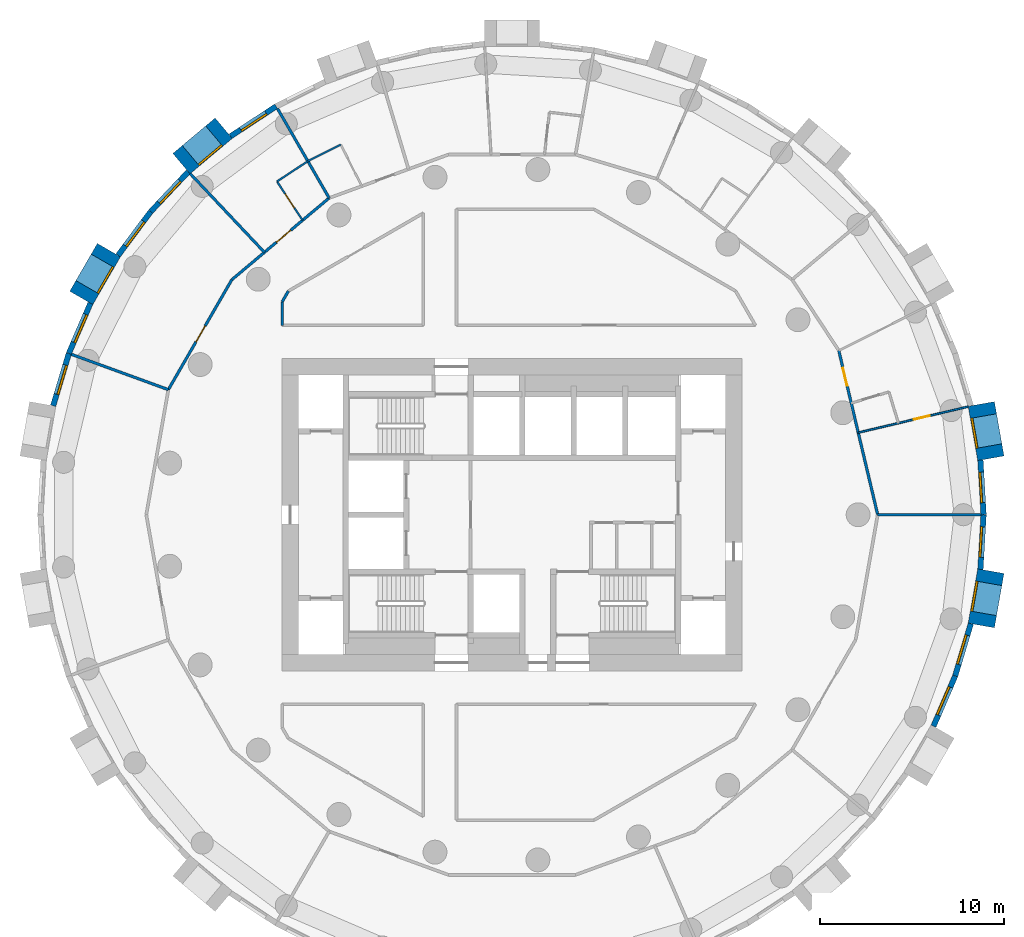
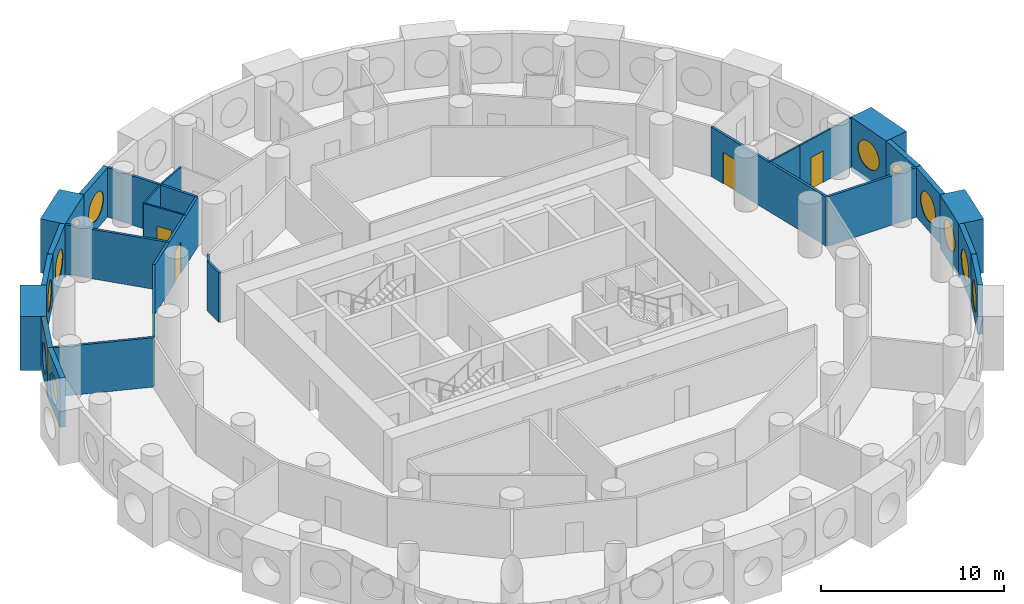
# One storey, part 5 of 9: 27 walls, 13 windows, 5 doors, 18 openings.
"""IFC4 building model written with IfcOpenShell, lengths in metres."""

from ifc_helpers import new_model, si_unit, direction, frame, frame_2d, origin, origin_2d, place, context, subcontext, project, spatial, rectangle, circle, extrude, material, layer, layer_set, type_object, element, fill, save


model = new_model("IFC4")

# Units and contexts
model_context = context("Model", 3, precision=1e-05, world=origin(), true_north=direction((0.0, 1.0)))
body_context = subcontext(model_context, "Body", "Model", "MODEL_VIEW")
ifc_project = project(units=[si_unit("LENGTHUNIT", "METRE"), si_unit("AREAUNIT", "SQUARE_METRE"), si_unit("VOLUMEUNIT", "CUBIC_METRE"), si_unit("PLANEANGLEUNIT", "RADIAN"), si_unit("MASSUNIT", "GRAM", prefix="KILO")], contexts=[model_context])

# Site, building, storey
site_placement = place(None, origin())
site = spatial("IfcSite", under=ifc_project, at=site_placement, CompositionType="ELEMENT")
building_placement = place(site_placement, origin())
building = spatial("IfcBuilding", under=site, at=building_placement, Name="Tracery Tower", CompositionType="ELEMENT")
storey_placement = place(building_placement, frame((0.0, 0.0, 169.199951171875)))
storey = spatial("IfcBuildingStorey", under=building, at=storey_placement, Name="L43", CompositionType="ELEMENT", Elevation=169.199951171875)

# Wall, opening, window
ifc_material_1 = material(Name="Precast concrete C50/60", Category="concrete")
ifc_layer_1 = layer(ifc_material_1, 1.449951171875)
ifc_layer_set_1 = layer_set([ifc_layer_1], Name="Deep-set bay unit 3000 x 3600, slab edge 300")
wall_type_1 = type_object("IfcWallType", Name="Deep-set bay unit 3000 x 3600, slab edge 300", PredefinedType="ELEMENTEDWALL", material=ifc_layer_set_1)
wall_1_placement = place(storey_placement, frame((26.041748046875, 3.06884765625, -0.300048828125), z_axis=(0.0, 0.0, 1.0), x_axis=(-0.173669267716, 0.984804034035, 0.0)))
wall_1 = element("IfcWall", 1, at=wall_1_placement, inside=storey, type_object=wall_type_1, Name="Deep-set bay unit 2 at L43", PredefinedType="ELEMENTEDWALL", context=body_context, shape_type="SweptSolid", body=[
    extrude(rectangle(XDim=3.0, YDim=1.449951171875, at=frame_2d((1.5, 0.0))), origin(), (0.0, 0.0, 1.0), 3.60009765625),
])
opening_1_placement = place(wall_1_placement, frame((1.5, 0.0, 1.85009765625)))
opening_1 = element("IfcOpeningElement", 2, at=opening_1_placement, cuts=wall_1, Name="Opening WN1", PredefinedType="OPENING", context=body_context, shape_type="SweptSolid", body=[
    extrude(circle(Radius=0.9000244140625, at=origin_2d()), frame((0.0, 0.73486328125, 0.0), z_axis=(0.0, -1.0, 0.0), x_axis=(1.0, 0.0, 0.0)), (0.0, 0.0, 1.0), 1.469970703125),
])
ifc_material_2 = material(Name="Aluminium frame with tinted double glazing", Category="aluminium")
window_type = type_object("IfcWindowType", Name="Round window 1800", PartitioningType="SINGLE_PANEL", PredefinedType="WINDOW", material=ifc_material_2)
window_1_placement = place(opening_1_placement, origin())
window_1 = element("IfcWindow", 3, at=window_1_placement, inside=storey, type_object=window_type, Name="Round window 2 at L43", OverallHeight=1.800048828125, OverallWidth=1.800048828125, PartitioningType="SINGLE_PANEL", PredefinedType="WINDOW", context=body_context, shape_type="SweptSolid", body=[
    extrude(circle(Radius=0.9000244140625, at=origin_2d()), frame((0.0, 0.69482421875, 0.0), z_axis=(0.0, -1.0, 0.0), x_axis=(1.0, 0.0, 0.0)), (0.0, 0.0, 1.0), 0.10009765625),
])
fill(opening_1, window_1)

wall_2_placement = place(storey_placement, frame((-15.678466796875, 21.0185546875, -0.300048828125), z_axis=(0.0, 0.0, 1.0), x_axis=(-0.766022196139, -0.642814121673, 0.0)))
wall_2 = element("IfcWall", 4, at=wall_2_placement, inside=storey, type_object=wall_type_1, Name="Deep-set bay unit 20 at L43", PredefinedType="ELEMENTEDWALL", context=body_context, shape_type="SweptSolid", body=[
    extrude(rectangle(XDim=3.0, YDim=1.449951171875, at=frame_2d((1.5, 0.0))), origin(), (0.0, 0.0, 1.0), 3.60009765625),
])
opening_2_placement = place(wall_2_placement, frame((1.5, 0.0, 1.85009765625)))
opening_2 = element("IfcOpeningElement", 5, at=opening_2_placement, cuts=wall_2, Name="Opening WN1", PredefinedType="OPENING", context=body_context, shape_type="SweptSolid", body=[
    extrude(circle(Radius=0.9000244140625, at=origin_2d()), frame((0.0, 0.73486328125, 0.0), z_axis=(0.0, -1.0, 0.0), x_axis=(1.0, 0.0, 0.0)), (0.0, 0.0, 1.0), 1.469970703125),
])
window_2_placement = place(opening_2_placement, origin())
window_2 = element("IfcWindow", 6, at=window_2_placement, inside=storey, type_object=window_type, Name="Round window 20 at L43", OverallHeight=1.800048828125, OverallWidth=1.800048828125, PartitioningType="SINGLE_PANEL", PredefinedType="WINDOW", context=body_context, shape_type="SweptSolid", body=[
    extrude(circle(Radius=0.9000244140625, at=origin_2d()), frame((0.0, 0.69482421875, 0.0), z_axis=(0.0, -1.0, 0.0), x_axis=(1.0, 0.0, 0.0)), (0.0, 0.0, 1.0), 0.10009765625),
])
fill(opening_2, window_2)

wall_3_placement = place(storey_placement, frame((-21.921630859375, 14.388671875, -0.300048828125), z_axis=(0.0, 0.0, 1.0), x_axis=(-0.499990139034, -0.866031096941, 0.0)))
wall_3 = element("IfcWall", 7, at=wall_3_placement, inside=storey, type_object=wall_type_1, Name="Deep-set bay unit 23 at L43", PredefinedType="ELEMENTEDWALL", context=body_context, shape_type="SweptSolid", body=[
    extrude(rectangle(XDim=3.0, YDim=1.449951171875, at=frame_2d((1.5, 0.0))), origin(), (0.0, 0.0, 1.0), 3.60009765625),
])
opening_3_placement = place(wall_3_placement, frame((1.5, 0.0, 1.85009765625)))
opening_3 = element("IfcOpeningElement", 8, at=opening_3_placement, cuts=wall_3, Name="Opening WN1", PredefinedType="OPENING", context=body_context, shape_type="SweptSolid", body=[
    extrude(circle(Radius=0.9000244140625, at=origin_2d()), frame((0.0, 0.73486328125, 0.0), z_axis=(0.0, -1.0, 0.0), x_axis=(1.0, 0.0, 0.0)), (0.0, 0.0, 1.0), 1.469970703125),
])
window_3_placement = place(opening_3_placement, origin())
window_3 = element("IfcWindow", 9, at=window_3_placement, inside=storey, type_object=window_type, Name="Round window 23 at L43", OverallHeight=1.800048828125, OverallWidth=1.800048828125, PartitioningType="SINGLE_PANEL", PredefinedType="WINDOW", context=body_context, shape_type="SweptSolid", body=[
    extrude(circle(Radius=0.9000244140625, at=origin_2d()), frame((0.0, 0.69482421875, 0.0), z_axis=(0.0, -1.0, 0.0), x_axis=(1.0, 0.0, 0.0)), (0.0, 0.0, 1.0), 0.10009765625),
])
fill(opening_3, window_3)

wall_4_placement = place(storey_placement, frame((25.520751953125, -6.023193359375, -0.300048828125), z_axis=(0.0, 0.0, 1.0), x_axis=(0.173669267716, 0.984804034035, 0.0)))
wall_4 = element("IfcWall", 10, at=wall_4_placement, inside=storey, type_object=wall_type_1, Name="Deep-set bay unit 53 at L43", PredefinedType="ELEMENTEDWALL", context=body_context, shape_type="SweptSolid", body=[
    extrude(rectangle(XDim=3.0, YDim=1.449951171875, at=frame_2d((1.5, 0.0))), origin(), (0.0, 0.0, 1.0), 3.60009765625),
])
opening_4_placement = place(wall_4_placement, frame((1.5, 0.0, 1.85009765625)))
opening_4 = element("IfcOpeningElement", 11, at=opening_4_placement, cuts=wall_4, Name="Opening WN1", PredefinedType="OPENING", context=body_context, shape_type="SweptSolid", body=[
    extrude(circle(Radius=0.9000244140625, at=origin_2d()), frame((0.0, 0.73486328125, 0.0), z_axis=(0.0, -1.0, 0.0), x_axis=(1.0, 0.0, 0.0)), (0.0, 0.0, 1.0), 1.469970703125),
])
window_4_placement = place(opening_4_placement, origin())
window_4 = element("IfcWindow", 12, at=window_4_placement, inside=storey, type_object=window_type, Name="Round window 53 at L43", OverallHeight=1.800048828125, OverallWidth=1.800048828125, PartitioningType="SINGLE_PANEL", PredefinedType="WINDOW", context=body_context, shape_type="SweptSolid", body=[
    extrude(circle(Radius=0.9000244140625, at=origin_2d()), frame((0.0, 0.69482421875, 0.0), z_axis=(0.0, -1.0, 0.0), x_axis=(1.0, 0.0, 0.0)), (0.0, 0.0, 1.0), 0.10009765625),
])
fill(opening_4, window_4)

ifc_material_3 = material(Name="Precast concrete C50/60", Category="concrete")
ifc_layer_2 = layer(ifc_material_3, 0.300048828125)
ifc_layer_set_2 = layer_set([ifc_layer_2], Name="Facade panel 3000 x 3300")
wall_type_2 = type_object("IfcWallType", Name="Facade panel 3000 x 3300", PredefinedType="SOLIDWALL", material=ifc_layer_set_2)
wall_5_placement = place(storey_placement, frame((25.6474609375, 0.0, 0.0), z_axis=(0.0, 0.0, 1.0), x_axis=(-0.058144307138, 0.998308188661, 0.0)))
wall_5 = element("IfcWall", 13, at=wall_5_placement, inside=storey, type_object=wall_type_2, Name="Facade panel 1 at L43", PredefinedType="SOLIDWALL", context=body_context, shape_type="SweptSolid", body=[
    extrude(rectangle(XDim=2.972900390625, YDim=0.300048828125, at=frame_2d((1.486328125, 0.0))), origin(), (0.0, 0.0, 1.0), 3.300048828125),
])
opening_5_placement = place(wall_5_placement, frame((1.486328125, 0.0, 1.5498046875)))
opening_5 = element("IfcOpeningElement", 14, at=opening_5_placement, cuts=wall_5, Name="Opening WN1", PredefinedType="OPENING", context=body_context, shape_type="SweptSolid", body=[
    extrude(circle(Radius=0.9000244140625, at=origin_2d()), frame((0.0, 0.159912109375, 0.0), z_axis=(0.0, -1.0, 0.0), x_axis=(1.0, 0.0, 0.0)), (0.0, 0.0, 1.0), 0.320068359375),
])
window_5_placement = place(opening_5_placement, origin())
window_5 = element("IfcWindow", 15, at=window_5_placement, inside=storey, type_object=window_type, Name="Round window 1 at L43", OverallHeight=1.800048828125, OverallWidth=1.800048828125, PartitioningType="SINGLE_PANEL", PredefinedType="WINDOW", context=body_context, shape_type="SweptSolid", body=[
    extrude(circle(Radius=0.9000244140625, at=origin_2d()), frame((0.0, 0.1201171875, 0.0), z_axis=(0.0, -1.0, 0.0), x_axis=(1.0, 0.0, 0.0)), (0.0, 0.0, 1.0), 0.10009765625),
])
fill(opening_5, window_5)

wall_6_placement = place(storey_placement, frame((-12.82373046875, 22.21142578125, 0.0), z_axis=(0.0, 0.0, 1.0), x_axis=(-0.835470659512, -0.549535055382, 0.0)))
wall_6 = element("IfcWall", 16, at=wall_6_placement, inside=storey, type_object=wall_type_2, Name="Facade panel 19 at L43", PredefinedType="SOLIDWALL", context=body_context, shape_type="SweptSolid", body=[
    extrude(rectangle(XDim=2.97314453125, YDim=0.300048828125, at=frame_2d((1.486572265625, 0.0))), origin(), (0.0, 0.0, 1.0), 3.300048828125),
])
opening_6_placement = place(wall_6_placement, frame((1.486328125, 0.0, 1.5498046875)))
opening_6 = element("IfcOpeningElement", 17, at=opening_6_placement, cuts=wall_6, Name="Opening WN1", PredefinedType="OPENING", context=body_context, shape_type="SweptSolid", body=[
    extrude(circle(Radius=0.9000244140625, at=origin_2d()), frame((0.0, 0.159912109375, 0.0), z_axis=(0.0, -1.0, 0.0), x_axis=(1.0, 0.0, 0.0)), (0.0, 0.0, 1.0), 0.320068359375),
])
window_6_placement = place(opening_6_placement, origin())
window_6 = element("IfcWindow", 18, at=window_6_placement, inside=storey, type_object=window_type, Name="Round window 19 at L43", OverallHeight=1.800048828125, OverallWidth=1.800048828125, PartitioningType="SINGLE_PANEL", PredefinedType="WINDOW", context=body_context, shape_type="SweptSolid", body=[
    extrude(circle(Radius=0.9000244140625, at=origin_2d()), frame((0.0, 0.1201171875, 0.0), z_axis=(0.0, -1.0, 0.0), x_axis=(1.0, 0.0, 0.0)), (0.0, 0.0, 1.0), 0.10009765625),
])
fill(opening_6, window_6)

wall_7_placement = place(storey_placement, frame((-17.60693359375, 18.648193359375, 0.0), z_axis=(0.0, 0.0, 1.0), x_axis=(-0.686235184166, -0.727379730273, 0.0)))
wall_7 = element("IfcWall", 19, at=wall_7_placement, inside=storey, type_object=wall_type_2, Name="Facade panel 21 at L43", PredefinedType="SOLIDWALL", context=body_context, shape_type="SweptSolid", body=[
    extrude(rectangle(XDim=2.972900390625, YDim=0.300048828125, at=frame_2d((1.486328125, 0.0))), origin(), (0.0, 0.0, 1.0), 3.300048828125),
])
opening_7_placement = place(wall_7_placement, frame((1.486328125, 0.0, 1.5498046875)))
opening_7 = element("IfcOpeningElement", 20, at=opening_7_placement, cuts=wall_7, Name="Opening WN1", PredefinedType="OPENING", context=body_context, shape_type="SweptSolid", body=[
    extrude(circle(Radius=0.9000244140625, at=origin_2d()), frame((0.0, 0.159912109375, 0.0), z_axis=(0.0, -1.0, 0.0), x_axis=(1.0, 0.0, 0.0)), (0.0, 0.0, 1.0), 0.320068359375),
])
window_7_placement = place(opening_7_placement, origin())
window_7 = element("IfcWindow", 21, at=window_7_placement, inside=storey, type_object=window_type, Name="Round window 21 at L43", OverallHeight=1.800048828125, OverallWidth=1.800048828125, PartitioningType="SINGLE_PANEL", PredefinedType="WINDOW", context=body_context, shape_type="SweptSolid", body=[
    extrude(circle(Radius=0.9000244140625, at=origin_2d()), frame((0.0, 0.1201171875, 0.0), z_axis=(0.0, -1.0, 0.0), x_axis=(1.0, 0.0, 0.0)), (0.0, 0.0, 1.0), 0.10009765625),
])
fill(opening_7, window_7)

wall_8_placement = place(storey_placement, frame((-19.64697265625, 16.48583984375, 0.0), z_axis=(0.0, 0.0, 1.0), x_axis=(-0.597197580538, -0.80209416517, 0.0)))
wall_8 = element("IfcWall", 22, at=wall_8_placement, inside=storey, type_object=wall_type_2, Name="Facade panel 22 at L43", PredefinedType="SOLIDWALL", context=body_context, shape_type="SweptSolid", body=[
    extrude(rectangle(XDim=2.972900390625, YDim=0.300048828125, at=frame_2d((1.486328125, 0.0))), origin(), (0.0, 0.0, 1.0), 3.300048828125),
])
opening_8_placement = place(wall_8_placement, frame((1.486328125, 0.0, 1.5498046875)))
opening_8 = element("IfcOpeningElement", 23, at=opening_8_placement, cuts=wall_8, Name="Opening WN1", PredefinedType="OPENING", context=body_context, shape_type="SweptSolid", body=[
    extrude(circle(Radius=0.9000244140625, at=origin_2d()), frame((0.0, 0.159912109375, 0.0), z_axis=(0.0, -1.0, 0.0), x_axis=(1.0, 0.0, 0.0)), (0.0, 0.0, 1.0), 0.320068359375),
])
window_8_placement = place(opening_8_placement, origin())
window_8 = element("IfcWindow", 24, at=window_8_placement, inside=storey, type_object=window_type, Name="Round window 22 at L43", OverallHeight=1.800048828125, OverallWidth=1.800048828125, PartitioningType="SINGLE_PANEL", PredefinedType="WINDOW", context=body_context, shape_type="SweptSolid", body=[
    extrude(circle(Radius=0.9000244140625, at=origin_2d()), frame((0.0, 0.1201171875, 0.0), z_axis=(0.0, -1.0, 0.0), x_axis=(1.0, 0.0, 0.0)), (0.0, 0.0, 1.0), 0.10009765625),
])
fill(opening_8, window_8)

wall_9_placement = place(storey_placement, frame((-22.923095703125, 11.501708984375, 0.0), z_axis=(0.0, 0.0, 1.0), x_axis=(-0.396148129016, -0.918186614952, 0.0)))
wall_9 = element("IfcWall", 25, at=wall_9_placement, inside=storey, type_object=wall_type_2, Name="Facade panel 24 at L43", PredefinedType="SOLIDWALL", context=body_context, shape_type="SweptSolid", body=[
    extrude(rectangle(XDim=2.972900390625, YDim=0.300048828125, at=frame_2d((1.486328125, 0.0))), origin(), (0.0, 0.0, 1.0), 3.300048828125),
])
opening_9_placement = place(wall_9_placement, frame((1.486328125, 0.0, 1.5498046875)))
opening_9 = element("IfcOpeningElement", 26, at=opening_9_placement, cuts=wall_9, Name="Opening WN1", PredefinedType="OPENING", context=body_context, shape_type="SweptSolid", body=[
    extrude(circle(Radius=0.9000244140625, at=origin_2d()), frame((0.0, 0.159912109375, 0.0), z_axis=(0.0, -1.0, 0.0), x_axis=(1.0, 0.0, 0.0)), (0.0, 0.0, 1.0), 0.320068359375),
])
window_9_placement = place(opening_9_placement, origin())
window_9 = element("IfcWindow", 27, at=window_9_placement, inside=storey, type_object=window_type, Name="Round window 24 at L43", OverallHeight=1.800048828125, OverallWidth=1.800048828125, PartitioningType="SINGLE_PANEL", PredefinedType="WINDOW", context=body_context, shape_type="SweptSolid", body=[
    extrude(circle(Radius=0.9000244140625, at=origin_2d()), frame((0.0, 0.1201171875, 0.0), z_axis=(0.0, -1.0, 0.0), x_axis=(1.0, 0.0, 0.0)), (0.0, 0.0, 1.0), 0.10009765625),
])
fill(opening_9, window_9)

wall_10_placement = place(storey_placement, frame((-24.100830078125, 8.77197265625, 0.0), z_axis=(0.0, 0.0, 1.0), x_axis=(-0.286782750849, -0.957995643944, 0.0)))
wall_10 = element("IfcWall", 28, at=wall_10_placement, inside=storey, type_object=wall_type_2, Name="Facade panel 25 at L43", PredefinedType="SOLIDWALL", context=body_context, shape_type="SweptSolid", body=[
    extrude(rectangle(XDim=2.97265625, YDim=0.300048828125, at=frame_2d((1.486328125, 0.0))), origin(), (0.0, 0.0, 1.0), 3.300048828125),
])
opening_10_placement = place(wall_10_placement, frame((1.486328125, 0.0, 1.5498046875)))
opening_10 = element("IfcOpeningElement", 29, at=opening_10_placement, cuts=wall_10, Name="Opening WN1", PredefinedType="OPENING", context=body_context, shape_type="SweptSolid", body=[
    extrude(circle(Radius=0.9000244140625, at=origin_2d()), frame((0.0, 0.159912109375, 0.0), z_axis=(0.0, -1.0, 0.0), x_axis=(1.0, 0.0, 0.0)), (0.0, 0.0, 1.0), 0.320068359375),
])
window_10_placement = place(opening_10_placement, origin())
window_10 = element("IfcWindow", 30, at=window_10_placement, inside=storey, type_object=window_type, Name="Round window 25 at L43", OverallHeight=1.800048828125, OverallWidth=1.800048828125, PartitioningType="SINGLE_PANEL", PredefinedType="WINDOW", context=body_context, shape_type="SweptSolid", body=[
    extrude(circle(Radius=0.9000244140625, at=origin_2d()), frame((0.0, 0.1201171875, 0.0), z_axis=(0.0, -1.0, 0.0), x_axis=(1.0, 0.0, 0.0)), (0.0, 0.0, 1.0), 0.10009765625),
])
fill(opening_10, window_10)

wall_11_placement = place(storey_placement, frame((22.923095703125, -11.501708984375, 0.0), z_axis=(0.0, 0.0, 1.0), x_axis=(0.396148129016, 0.918186614952, 0.0)))
wall_11 = element("IfcWall", 31, at=wall_11_placement, inside=storey, type_object=wall_type_2, Name="Facade panel 51 at L43", PredefinedType="SOLIDWALL", context=body_context, shape_type="SweptSolid", body=[
    extrude(rectangle(XDim=2.972900390625, YDim=0.300048828125, at=frame_2d((1.486328125, 0.0))), origin(), (0.0, 0.0, 1.0), 3.300048828125),
])
opening_11_placement = place(wall_11_placement, frame((1.486328125, 0.0, 1.5498046875)))
opening_11 = element("IfcOpeningElement", 32, at=opening_11_placement, cuts=wall_11, Name="Opening WN1", PredefinedType="OPENING", context=body_context, shape_type="SweptSolid", body=[
    extrude(circle(Radius=0.9000244140625, at=origin_2d()), frame((0.0, 0.159912109375, 0.0), z_axis=(0.0, -1.0, 0.0), x_axis=(1.0, 0.0, 0.0)), (0.0, 0.0, 1.0), 0.320068359375),
])
window_11_placement = place(opening_11_placement, origin())
window_11 = element("IfcWindow", 33, at=window_11_placement, inside=storey, type_object=window_type, Name="Round window 51 at L43", OverallHeight=1.800048828125, OverallWidth=1.800048828125, PartitioningType="SINGLE_PANEL", PredefinedType="WINDOW", context=body_context, shape_type="SweptSolid", body=[
    extrude(circle(Radius=0.9000244140625, at=origin_2d()), frame((0.0, 0.1201171875, 0.0), z_axis=(0.0, -1.0, 0.0), x_axis=(1.0, 0.0, 0.0)), (0.0, 0.0, 1.0), 0.10009765625),
])
fill(opening_11, window_11)

wall_12_placement = place(storey_placement, frame((24.100830078125, -8.77197265625, 0.0), z_axis=(0.0, 0.0, 1.0), x_axis=(0.286782750849, 0.957995643944, 0.0)))
wall_12 = element("IfcWall", 34, at=wall_12_placement, inside=storey, type_object=wall_type_2, Name="Facade panel 52 at L43", PredefinedType="SOLIDWALL", context=body_context, shape_type="SweptSolid", body=[
    extrude(rectangle(XDim=2.97265625, YDim=0.300048828125, at=frame_2d((1.486328125, 0.0))), origin(), (0.0, 0.0, 1.0), 3.300048828125),
])
opening_12_placement = place(wall_12_placement, frame((1.486328125, 0.0, 1.5498046875)))
opening_12 = element("IfcOpeningElement", 35, at=opening_12_placement, cuts=wall_12, Name="Opening WN1", PredefinedType="OPENING", context=body_context, shape_type="SweptSolid", body=[
    extrude(circle(Radius=0.9000244140625, at=origin_2d()), frame((0.0, 0.159912109375, 0.0), z_axis=(0.0, -1.0, 0.0), x_axis=(1.0, 0.0, 0.0)), (0.0, 0.0, 1.0), 0.320068359375),
])
window_12_placement = place(opening_12_placement, origin())
window_12 = element("IfcWindow", 36, at=window_12_placement, inside=storey, type_object=window_type, Name="Round window 52 at L43", OverallHeight=1.800048828125, OverallWidth=1.800048828125, PartitioningType="SINGLE_PANEL", PredefinedType="WINDOW", context=body_context, shape_type="SweptSolid", body=[
    extrude(circle(Radius=0.9000244140625, at=origin_2d()), frame((0.0, 0.1201171875, 0.0), z_axis=(0.0, -1.0, 0.0), x_axis=(1.0, 0.0, 0.0)), (0.0, 0.0, 1.0), 0.10009765625),
])
fill(opening_12, window_12)

wall_13_placement = place(storey_placement, frame((25.474609375, -2.9677734375, 0.0), z_axis=(0.0, 0.0, 1.0), x_axis=(0.058144307138, 0.998308188661, 0.0)))
wall_13 = element("IfcWall", 37, at=wall_13_placement, inside=storey, type_object=wall_type_2, Name="Facade panel 54 at L43", PredefinedType="SOLIDWALL", context=body_context, shape_type="SweptSolid", body=[
    extrude(rectangle(XDim=2.972900390625, YDim=0.300048828125, at=frame_2d((1.486328125, 0.0))), origin(), (0.0, 0.0, 1.0), 3.300048828125),
])
opening_13_placement = place(wall_13_placement, frame((1.486328125, 0.0, 1.5498046875)))
opening_13 = element("IfcOpeningElement", 38, at=opening_13_placement, cuts=wall_13, Name="Opening WN1", PredefinedType="OPENING", context=body_context, shape_type="SweptSolid", body=[
    extrude(circle(Radius=0.9000244140625, at=origin_2d()), frame((0.0, 0.159912109375, 0.0), z_axis=(0.0, -1.0, 0.0), x_axis=(1.0, 0.0, 0.0)), (0.0, 0.0, 1.0), 0.320068359375),
])
window_13_placement = place(opening_13_placement, origin())
window_13 = element("IfcWindow", 39, at=window_13_placement, inside=storey, type_object=window_type, Name="Round window 54 at L43", OverallHeight=1.800048828125, OverallWidth=1.800048828125, PartitioningType="SINGLE_PANEL", PredefinedType="WINDOW", context=body_context, shape_type="SweptSolid", body=[
    extrude(circle(Radius=0.9000244140625, at=origin_2d()), frame((0.0, 0.1201171875, 0.0), z_axis=(0.0, -1.0, 0.0), x_axis=(1.0, 0.0, 0.0)), (0.0, 0.0, 1.0), 0.10009765625),
])
fill(opening_13, window_13)

# Wall, opening, door
ifc_material_4 = material(Name="Plasterboard on steel studs", Category="steel")
ifc_layer_3 = layer(ifc_material_4, 0.10009765625)
ifc_layer_set_3 = layer_set([ifc_layer_3], Name="Partition 100 stud")
wall_type_3 = type_object("IfcWallType", Name="Partition 100 stud", PredefinedType="PARTITIONING", material=ifc_layer_set_3)
wall_14_placement = place(storey_placement, frame((21.010986328125, 4.97998046875, 0.0), z_axis=(0.0, 0.0, 1.0), x_axis=(0.973073275162, 0.230495989477, 0.0)))
wall_14 = element("IfcWall", 40, at=wall_14_placement, inside=storey, type_object=wall_type_3, Name="Stud partition RB5-039", PredefinedType="PARTITIONING", context=body_context, shape_type="SweptSolid", body=[
    extrude(rectangle(XDim=3.904296875, YDim=0.10009765625, at=frame_2d((1.9521484375, 0.0))), origin(), (0.0, 0.0, 1.0), 3.300048828125),
])
opening_14_placement = place(wall_14_placement, frame((0.852294921875, 0.0, 0.0)))
opening_14 = element("IfcOpeningElement", 41, at=opening_14_placement, cuts=wall_14, Name="Opening RB5-05", PredefinedType="OPENING", context=body_context, shape_type="SweptSolid", body=[
    extrude(rectangle(XDim=0.89990234375, YDim=2.10009765625, at=frame_2d((0.449951171875, 1.050048828125))), frame((0.0, 0.050048828125, 0.0), z_axis=(0.0, -1.0, 0.0), x_axis=(1.0, 0.0, 0.0)), (0.0, 0.0, 1.0), 0.10009765625),
])
ifc_material_5 = material(Name="Timber door leaf", Category="wood")
door_type_1 = type_object("IfcDoorType", Name="Door bedroom 900", OperationType="NOTDEFINED", PredefinedType="DOOR", material=ifc_material_5)
door_1_placement = place(opening_14_placement, origin())
door_1 = element("IfcDoor", 42, at=door_1_placement, inside=storey, type_object=door_type_1, Name="Bedroom door RB5-05", OperationType="SINGLE_SWING_RIGHT", OverallHeight=2.10009765625, OverallWidth=0.89990234375, PredefinedType="DOOR", context=body_context, shape_type="SweptSolid", body=[
    extrude(rectangle(XDim=0.89990234375, YDim=2.10009765625, at=frame_2d((0.449951171875, 1.050048828125))), frame((0.0, 0.02490234375, 0.0), z_axis=(0.0, -1.0, 0.0), x_axis=(1.0, 0.0, 0.0)), (0.0, 0.0, 1.0), 0.050048828125),
])
fill(opening_14, door_1)

# Walls
ifc_material_6 = material(Name="Plasterboard on steel studs", Category="steel")
ifc_layer_4 = layer(ifc_material_6, 0.10009765625)
ifc_layer_set_4 = layer_set([ifc_layer_4], Name="Partition 100 wet wall")
wall_type_4 = type_object("IfcWallType", Name="Partition 100 wet wall", PredefinedType="PARTITIONING", material=ifc_layer_set_4)
wall_15_placement = place(storey_placement, frame((18.830078125, 4.462890625, 0.0), z_axis=(0.0, 0.0, 1.0), x_axis=(0.973019293695, 0.23072376145, 0.0)))
element("IfcWall", 43, at=wall_15_placement, inside=storey, type_object=wall_type_4, Name="Wet wall RB5-043", PredefinedType="PARTITIONING", context=body_context, shape_type="SweptSolid", body=[
    extrude(rectangle(XDim=2.245361328125, YDim=0.10009765625, at=frame_2d((1.12255859375, 0.0))), origin(), (0.0, 0.0, 1.0), 3.300048828125),
])
for number, where, z_axis, x_axis, name in (
    (44, (-11.10107421875, 19.22705078125, 0.0), (0.0, 0.0, 1.0), (0.8937698483, 0.448525872464, 0.0), "Wet wall RB5-057"),
    (45, (-12.779052734375, 18.123046875, 0.0), (0.0, 0.0, 1.0), (0.835400926368, 0.549641057622, 0.0), "Wet wall RB5-059"),
):
    element("IfcWall", number, at=place(storey_placement, frame(where, z_axis=z_axis, x_axis=x_axis)), inside=storey, type_object=wall_type_4, Name=name, PredefinedType="PARTITIONING", context=body_context, shape_type="SweptSolid", body=[
        extrude(rectangle(XDim=2.008544921875, YDim=0.10009765625, at=frame_2d((1.00439453125, 0.0))), origin(), (0.0, 0.0, 1.0), 3.300048828125),
    ])

# Wall, opening, door
wall_16_placement = place(storey_placement, frame((-12.779052734375, 18.123046875, 0.0), z_axis=(0.0, 0.0, 1.0), x_axis=(0.549788507485, -0.835303895021, 0.0)))
wall_16 = element("IfcWall", 46, at=wall_16_placement, inside=storey, type_object=wall_type_4, Name="Wet wall RB5-060", PredefinedType="PARTITIONING", context=body_context, shape_type="SweptSolid", body=[
    extrude(rectangle(XDim=2.528564453125, YDim=0.10009765625, at=frame_2d((1.26416015625, 0.0))), origin(), (0.0, 0.0, 1.0), 3.300048828125),
])
opening_15_placement = place(wall_16_placement, frame((0.81396484375, 0.0, 0.0)))
opening_15 = element("IfcOpeningElement", 47, at=opening_15_placement, cuts=wall_16, Name="Opening RB5-18", PredefinedType="OPENING", context=body_context, shape_type="SweptSolid", body=[
    extrude(rectangle(XDim=0.89990234375, YDim=2.0400390625, at=frame_2d((0.449951171875, 1.02001953125))), frame((0.0, 0.050048828125, 0.0), z_axis=(0.0, -1.0, 0.0), x_axis=(1.0, 0.0, 0.0)), (0.0, 0.0, 1.0), 0.10009765625),
])
ifc_material_7 = material(Name="Timber door leaf", Category="wood")
door_type_2 = type_object("IfcDoorType", Name="Door en-suite 900", OperationType="NOTDEFINED", PredefinedType="DOOR", material=ifc_material_7)
door_2_placement = place(opening_15_placement, origin())
door_2 = element("IfcDoor", 48, at=door_2_placement, inside=storey, type_object=door_type_2, Name="En-suite door RB5-18", OperationType="SINGLE_SWING_LEFT", OverallHeight=2.0400390625, OverallWidth=0.89990234375, PredefinedType="DOOR", context=body_context, shape_type="SweptSolid", body=[
    extrude(rectangle(XDim=0.89990234375, YDim=2.0400390625, at=frame_2d((0.449951171875, 1.02001953125))), frame((0.0, 0.02490234375, 0.0), z_axis=(0.0, -1.0, 0.0), x_axis=(1.0, 0.0, 0.0)), (0.0, 0.0, 1.0), 0.050048828125),
])
fill(opening_15, door_2)

# Walls
ifc_material_8 = material(Name="Plasterboard on steel studs", Category="steel")
ifc_layer_5 = layer(ifc_material_8, 0.14990234375)
ifc_layer_set_5 = layer_set([ifc_layer_5], Name="Partition 150 acoustic unit wall")
wall_type_5 = type_object("IfcWallType", Name="Partition 150 acoustic unit wall", PredefinedType="PARTITIONING", material=ifc_layer_set_5)
wall_17_placement = place(storey_placement, frame((19.887939453125, 0.0, 0.0), z_axis=(0.0, 0.0, 1.0), x_axis=(1.0, 0.0, 0.0)))
element("IfcWall", 49, at=wall_17_placement, inside=storey, type_object=wall_type_5, Name="Unit wall RB5-044", PredefinedType="PARTITIONING", context=body_context, shape_type="SweptSolid", body=[
    extrude(rectangle(XDim=5.609130859375, YDim=0.14990234375, at=frame_2d((2.8046875, 0.0))), origin(), (0.0, 0.0, 1.0), 3.300048828125),
])
wall_18_placement = place(storey_placement, frame((-12.7490234375, 22.0810546875, 0.0), z_axis=(0.0, 0.0, 1.0), x_axis=(0.500061505771, -0.865989890499, 0.0)))
element("IfcWall", 50, at=wall_18_placement, inside=storey, type_object=wall_type_5, Name="Unit wall RB5-058", PredefinedType="PARTITIONING", context=body_context, shape_type="SweptSolid", body=[
    extrude(rectangle(XDim=5.609619140625, YDim=0.14990234375, at=frame_2d((2.8046875, 0.0))), origin(), (0.0, 0.0, 1.0), 3.300048828125),
])
wall_19_placement = place(storey_placement, frame((-17.4970703125, 18.5458984375, 0.0), z_axis=(0.0, 0.0, 1.0), x_axis=(0.6862502776, -0.72736549031, 0.0)))
element("IfcWall", 51, at=wall_19_placement, inside=storey, type_object=wall_type_5, Name="Unit wall RB5-061", PredefinedType="PARTITIONING", context=body_context, shape_type="SweptSolid", body=[
    extrude(rectangle(XDim=5.878662109375, YDim=0.14990234375, at=frame_2d((2.939453125, 0.0))), origin(), (0.0, 0.0, 1.0), 3.300048828125),
])
wall_20_placement = place(storey_placement, frame((-23.9599609375, 8.720947265625, 0.0), z_axis=(0.0, 0.0, 1.0), x_axis=(0.939686652043, -0.342036541866, 0.0)))
element("IfcWall", 52, at=wall_20_placement, inside=storey, type_object=wall_type_5, Name="Unit wall RB5-062", PredefinedType="PARTITIONING", context=body_context, shape_type="SweptSolid", body=[
    extrude(rectangle(XDim=5.6103515625, YDim=0.14990234375, at=frame_2d((2.80517578125, 0.0))), origin(), (0.0, 0.0, 1.0), 3.300048828125),
])

# Wall, opening, door
ifc_material_9 = material(Name="Plasterboard on steel studs", Category="steel")
ifc_layer_6 = layer(ifc_material_9, 0.14990234375)
ifc_layer_set_6 = layer_set([ifc_layer_6], Name="Partition 150 corridor wall")
wall_type_6 = type_object("IfcWallType", Name="Partition 150 corridor wall", PredefinedType="PARTITIONING", material=ifc_layer_set_6)
wall_21_placement = place(storey_placement, frame((17.77197265625, 8.926025390625, 0.0), z_axis=(0.0, 0.0, 1.0), x_axis=(0.230531374136, -0.973064892769, 0.0)))
wall_21 = element("IfcWall", 53, at=wall_21_placement, inside=storey, type_object=wall_type_6, Name="Corridor wall RB5-007", PredefinedType="PARTITIONING", context=body_context, shape_type="SweptSolid", body=[
    extrude(rectangle(XDim=9.17333984375, YDim=0.14990234375, at=frame_2d((4.586669921875, 0.0))), origin(), (0.0, 0.0, 1.0), 3.300048828125),
])
opening_16_placement = place(wall_21_placement, frame((0.972900390625, 0.0, 0.0)))
opening_16 = element("IfcOpeningElement", 54, at=opening_16_placement, cuts=wall_21, Name="Opening RB5-08", PredefinedType="OPENING", context=body_context, shape_type="SweptSolid", body=[
    extrude(rectangle(XDim=1.0, YDim=2.10009765625, at=frame_2d((0.5, 1.050048828125))), frame((0.0, 0.074951171875, 0.0), z_axis=(0.0, -1.0, 0.0), x_axis=(1.0, 0.0, 0.0)), (0.0, 0.0, 1.0), 0.14990234375),
])
ifc_material_10 = material(Name="Timber door leaf", Category="wood")
door_type_3 = type_object("IfcDoorType", Name="Door unit entrance 1000", OperationType="NOTDEFINED", PredefinedType="DOOR", material=ifc_material_10)
door_3_placement = place(opening_16_placement, origin())
door_3 = element("IfcDoor", 55, at=door_3_placement, inside=storey, type_object=door_type_3, Name="Unit entrance door RB5-08", OperationType="SINGLE_SWING_RIGHT", OverallHeight=2.10009765625, OverallWidth=1.0, PredefinedType="DOOR", context=body_context, shape_type="SweptSolid", body=[
    extrude(rectangle(XDim=1.0, YDim=2.10009765625, at=frame_2d((0.5, 1.050048828125))), frame((0.0, 0.02490234375, 0.0), z_axis=(0.0, -1.0, 0.0), x_axis=(1.0, 0.0, 0.0)), (0.0, 0.0, 1.0), 0.050048828125),
])
fill(opening_16, door_3)

wall_22_placement = place(storey_placement, frame((-15.23388671875, 12.782958984375, 0.0), z_axis=(0.0, 0.0, 1.0), x_axis=(0.765918610974, 0.642937540795, 0.0)))
wall_22 = element("IfcWall", 56, at=wall_22_placement, inside=storey, type_object=wall_type_6, Name="Corridor wall RB5-021", PredefinedType="PARTITIONING", context=body_context, shape_type="SweptSolid", body=[
    extrude(rectangle(XDim=6.906494140625, YDim=0.14990234375, at=frame_2d((3.453125, 0.0))), origin(), (0.0, 0.0, 1.0), 3.300048828125),
])
opening_17_placement = place(wall_22_placement, frame((3.16650390625, 0.0, 0.0)))
opening_17 = element("IfcOpeningElement", 57, at=opening_17_placement, cuts=wall_22, Name="Opening RB5-19", PredefinedType="OPENING", context=body_context, shape_type="SweptSolid", body=[
    extrude(rectangle(XDim=1.0, YDim=2.10009765625, at=frame_2d((0.5, 1.050048828125))), frame((0.0, 0.074951171875, 0.0), z_axis=(0.0, -1.0, 0.0), x_axis=(1.0, 0.0, 0.0)), (0.0, 0.0, 1.0), 0.14990234375),
])
door_4_placement = place(opening_17_placement, origin())
door_4 = element("IfcDoor", 58, at=door_4_placement, inside=storey, type_object=door_type_3, Name="Unit entrance door RB5-19", OperationType="SINGLE_SWING_RIGHT", OverallHeight=2.10009765625, OverallWidth=1.0, PredefinedType="DOOR", context=body_context, shape_type="SweptSolid", body=[
    extrude(rectangle(XDim=1.0, YDim=2.10009765625, at=frame_2d((0.5, 1.050048828125))), frame((0.0, 0.02490234375, 0.0), z_axis=(0.0, -1.0, 0.0), x_axis=(1.0, 0.0, 0.0)), (0.0, 0.0, 1.0), 0.050048828125),
])
fill(opening_17, door_4)

# Walls
wall_23_placement = place(storey_placement, frame((-12.5, 11.576904296875, 0.0), z_axis=(0.0, 0.0, 1.0), x_axis=(0.500024767483, 0.866011103799, 0.0)))
element("IfcWall", 59, at=wall_23_placement, inside=storey, type_object=wall_type_6, Name="Corridor wall RB5-022", PredefinedType="PARTITIONING", context=body_context, shape_type="SweptSolid", body=[
    extrude(rectangle(XDim=0.67578125, YDim=0.14990234375, at=frame_2d((0.337890625, 0.0))), origin(), (0.0, 0.0, 1.0), 3.300048828125),
])
wall_24_placement = place(storey_placement, frame((-12.5, 10.300048828125, 0.0), z_axis=(0.0, 0.0, 1.0), x_axis=(0.0, 1.0, 0.0)))
element("IfcWall", 60, at=wall_24_placement, inside=storey, type_object=wall_type_6, Name="Corridor wall RB5-023", PredefinedType="PARTITIONING", context=body_context, shape_type="SweptSolid", body=[
    extrude(rectangle(XDim=1.27685546875, YDim=0.14990234375, at=frame_2d((0.638427734375, 0.0))), origin(), (0.0, 0.0, 1.0), 3.300048828125),
])

# Wall, opening, door
wall_25_placement = place(storey_placement, frame((-18.68798828125, 6.802001953125, 0.0), z_axis=(0.0, 0.0, 1.0), x_axis=(0.499914202267, 0.866074933462, 0.0)))
wall_25 = element("IfcWall", 61, at=wall_25_placement, inside=storey, type_object=wall_type_6, Name="Corridor wall RB5-026", PredefinedType="PARTITIONING", context=body_context, shape_type="SweptSolid", body=[
    extrude(rectangle(XDim=6.906982421875, YDim=0.14990234375, at=frame_2d((3.45361328125, 0.0))), origin(), (0.0, 0.0, 1.0), 3.300048828125),
])
opening_18_placement = place(wall_25_placement, frame((3.00390625, 0.0, 0.0)))
opening_18 = element("IfcOpeningElement", 62, at=opening_18_placement, cuts=wall_25, Name="Opening RB5-20", PredefinedType="OPENING", context=body_context, shape_type="SweptSolid", body=[
    extrude(rectangle(XDim=1.0, YDim=2.0400390625, at=frame_2d((0.5, 1.02001953125))), frame((0.0, 0.074951171875, 0.0), z_axis=(0.0, -1.0, 0.0), x_axis=(1.0, 0.0, 0.0)), (0.0, 0.0, 1.0), 0.14990234375),
])
ifc_material_11 = material(Name="Timber door leaf", Category="wood")
door_type_4 = type_object("IfcDoorType", Name="Door communal room 1000", OperationType="NOTDEFINED", PredefinedType="DOOR", material=ifc_material_11)
door_5_placement = place(opening_18_placement, origin())
door_5 = element("IfcDoor", 63, at=door_5_placement, inside=storey, type_object=door_type_4, Name="Communal room door RB5-20", OperationType="SINGLE_SWING_RIGHT", OverallHeight=2.0400390625, OverallWidth=1.0, PredefinedType="DOOR", context=body_context, shape_type="SweptSolid", body=[
    extrude(rectangle(XDim=1.0, YDim=2.0400390625, at=frame_2d((0.5, 1.02001953125))), frame((0.0, 0.02490234375, 0.0), z_axis=(0.0, -1.0, 0.0), x_axis=(1.0, 0.0, 0.0)), (0.0, 0.0, 1.0), 0.050048828125),
])
fill(opening_18, door_5)

save(model, "model.ifc")
